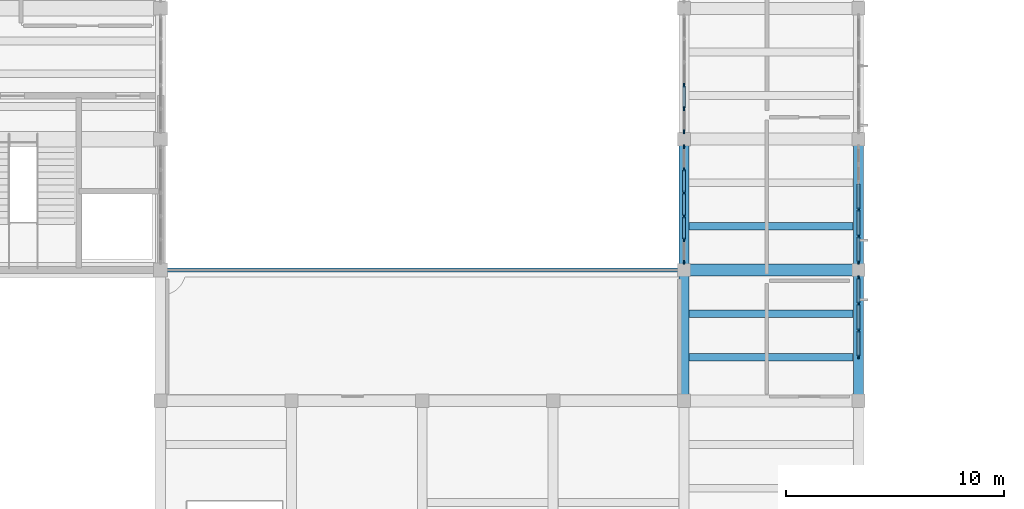
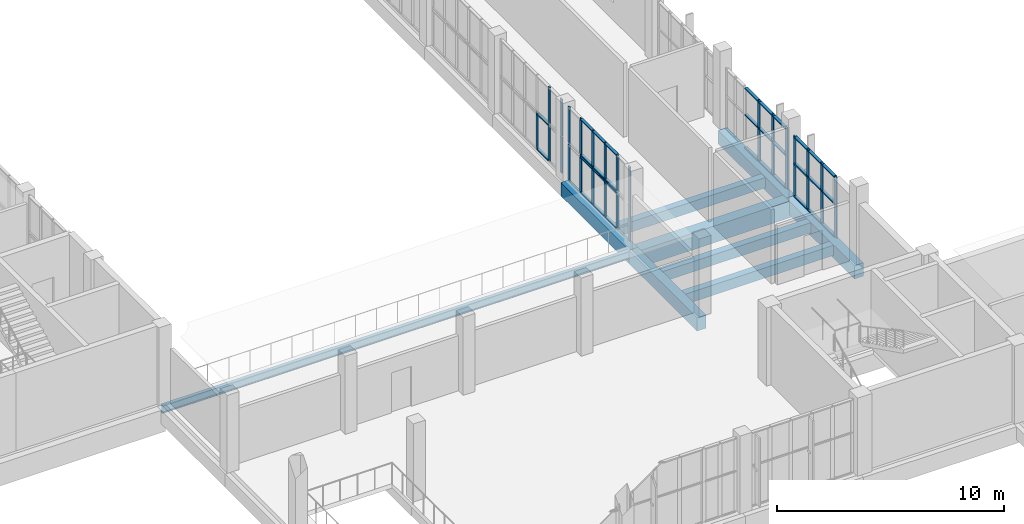
# One storey, part 8 of 85: 56 members, 9 beams, 6 elements without a shape of their own.
"""IFC4 building model written with IfcOpenShell, lengths in metres."""

from ifc_helpers import new_model, si_unit, direction, frame, origin, origin_2d, place, context, subcontext, project, spatial, rectangle, i_section, extrude, material, layer, layer_set, material_profile, profile_set, type_object, element, aggregate, save


model = new_model("IFC4")

# Units and contexts
model_context = context("Model", 3, precision=1e-05, world=origin(), true_north=direction((0.0, 1.0)))
body_context = subcontext(model_context, "Body", "Model", "MODEL_VIEW")
ifc_project = project(units=[si_unit("LENGTHUNIT", "METRE"), si_unit("AREAUNIT", "SQUARE_METRE"), si_unit("VOLUMEUNIT", "CUBIC_METRE"), si_unit("PLANEANGLEUNIT", "RADIAN"), si_unit("MASSUNIT", "GRAM", prefix="KILO")], contexts=[model_context])

# Site, building, storey
site_placement = place(None, origin())
site = spatial("IfcSite", under=ifc_project, at=site_placement, CompositionType="ELEMENT")
building_placement = place(site_placement, origin())
building = spatial("IfcBuilding", under=site, at=building_placement, Name="Solvane Community Centre", CompositionType="ELEMENT")
storey_placement = place(building_placement, frame((0.0, 0.0, 5.39990234375)))
storey = spatial("IfcBuildingStorey", under=building, at=storey_placement, Name="L01", CompositionType="ELEMENT", Elevation=5.39990234375)

# Curtain wall, members
ifc_material_1 = material(Name="Anodised bronze aluminium AW-6063 T6", Category="aluminium")
ifc_layer_1 = layer(ifc_material_1, 0.18994140625)
ifc_layer_set_1 = layer_set([ifc_layer_1], Name="Anodised bronze aluminium AW-6063 T6")
curtain_wall_type_1 = type_object("IfcCurtainWallType", Name="Boulevard Bronze Vision Curtain Wall [37x32dm]", PredefinedType="NOTDEFINED", material=ifc_layer_set_1)
curtain_wall_1_placement = place(storey_placement, origin())
curtain_wall_1 = element("IfcCurtainWall", 1, at=curtain_wall_1_placement, inside=storey, type_object=curtain_wall_type_1, Name="Curtain Wall CW-L01-680_460-109", PredefinedType="NOTDEFINED")
ifc_material_profile_1 = material_profile(ifc_material_1, rectangle(XDim=0.06005859375, YDim=0.18994140625, at=origin_2d()), Name="CW-M 60x190")
ifc_profile_set_1 = profile_set([ifc_material_profile_1], Name="Anodised bronze aluminium AW-6063 T6")
member_type_1 = type_object("IfcMemberType", Name="Boulevard Mullion 60x190", PredefinedType="MULLION", material=ifc_profile_set_1)
member_1_placement = place(storey_placement, frame((68.0, 44.7734375, 0.0), z_axis=(0.0, 0.0, 1.0), x_axis=(1.0, 0.0, 0.0)))
member_1 = element("IfcMember", 2, at=member_1_placement, type_object=member_type_1, Name="CW02-37x32 mullion 2", PredefinedType="MULLION", context=body_context, shape_type="SweptSolid", body=[
    extrude(rectangle(XDim=0.06005859375, YDim=0.18994140625, at=origin_2d()), origin(), (0.0, 0.0, 1.0), 3.2451171875),
])
member_2_placement = place(storey_placement, frame((68.0, 43.546630859375, 0.0), z_axis=(0.0, 0.0, 1.0), x_axis=(1.0, 0.0, 0.0)))
member_2 = element("IfcMember", 3, at=member_2_placement, type_object=member_type_1, Name="CW02-37x32 mullion 3", PredefinedType="MULLION", context=body_context, shape_type="SweptSolid", body=[
    extrude(rectangle(XDim=0.06005859375, YDim=0.18994140625, at=origin_2d()), origin(), (0.0, 0.0, 1.0), 3.2451171875),
])
member_3_placement = place(storey_placement, frame((68.0, 42.35009765625, 0.0), z_axis=(0.0, 0.0, 1.0), x_axis=(1.0, 0.0, 0.0)))
member_3 = element("IfcMember", 4, at=member_3_placement, type_object=member_type_1, Name="CW02-37x32 mullion 4", PredefinedType="MULLION", context=body_context, shape_type="SweptSolid", body=[
    extrude(rectangle(XDim=0.06005859375, YDim=0.18994140625, at=origin_2d()), origin(), (0.0, 0.0, 1.0), 3.2451171875),
])

curtain_wall_2_placement = place(storey_placement, origin())
curtain_wall_2 = element("IfcCurtainWall", 5, at=curtain_wall_2_placement, inside=storey, type_object=curtain_wall_type_1, Name="Curtain Wall CW-L01-680_417-110", PredefinedType="NOTDEFINED")
member_4_placement = place(storey_placement, frame((68.0, 41.64990234375, 0.0), z_axis=(0.0, 0.0, 1.0), x_axis=(1.0, 0.0, 0.0)))
member_4 = element("IfcMember", 6, at=member_4_placement, type_object=member_type_1, Name="CW02-37x32 mullion 1", PredefinedType="MULLION", context=body_context, shape_type="SweptSolid", body=[
    extrude(rectangle(XDim=0.06005859375, YDim=0.18994140625, at=origin_2d()), origin(), (0.0, 0.0, 1.0), 3.2451171875),
])
member_5_placement = place(storey_placement, frame((68.0, 40.453369140625, 0.0), z_axis=(0.0, 0.0, 1.0), x_axis=(1.0, 0.0, 0.0)))
member_5 = element("IfcMember", 7, at=member_5_placement, type_object=member_type_1, Name="CW02-37x32 mullion 2", PredefinedType="MULLION", context=body_context, shape_type="SweptSolid", body=[
    extrude(rectangle(XDim=0.06005859375, YDim=0.18994140625, at=origin_2d()), origin(), (0.0, 0.0, 1.0), 3.2451171875),
])
member_6_placement = place(storey_placement, frame((68.0, 39.2265625, 0.0), z_axis=(0.0, 0.0, 1.0), x_axis=(1.0, 0.0, 0.0)))
member_6 = element("IfcMember", 8, at=member_6_placement, type_object=member_type_1, Name="CW02-37x32 mullion 3", PredefinedType="MULLION", context=body_context, shape_type="SweptSolid", body=[
    extrude(rectangle(XDim=0.06005859375, YDim=0.18994140625, at=origin_2d()), origin(), (0.0, 0.0, 1.0), 3.2451171875),
])
member_7_placement = place(storey_placement, frame((68.0, 38.030029296875, 0.0), z_axis=(0.0, 0.0, 1.0), x_axis=(1.0, 0.0, 0.0)))
member_7 = element("IfcMember", 9, at=member_7_placement, type_object=member_type_1, Name="CW02-37x32 mullion 4", PredefinedType="MULLION", context=body_context, shape_type="SweptSolid", body=[
    extrude(rectangle(XDim=0.06005859375, YDim=0.18994140625, at=origin_2d()), origin(), (0.0, 0.0, 1.0), 3.2451171875),
])

# Member
ifc_material_profile_2 = material_profile(ifc_material_1, rectangle(XDim=0.14990234375, YDim=0.06005859375, at=origin_2d()), Name="CW-T 60x150")
ifc_profile_set_2 = profile_set([ifc_material_profile_2], Name="Anodised bronze aluminium AW-6063 T6")
member_type_2 = type_object("IfcMemberType", Name="Boulevard Transom 60x150", PredefinedType="USERDEFINED", material=ifc_profile_set_2)
member_8_placement = place(storey_placement, frame((68.0, 45.93994140625, 0.030029296875), z_axis=(0.0, -1.0, 0.0), x_axis=(1.0, 0.0, 0.0)))
member_8 = element("IfcMember", 10, at=member_8_placement, type_object=member_type_2, Name="CW02-37x32 transom 1.1", ObjectType="TRANSOM", PredefinedType="USERDEFINED", context=body_context, shape_type="SweptSolid", body=[
    extrude(rectangle(XDim=0.14990234375, YDim=0.06005859375, at=origin_2d()), origin(), (0.0, 0.0, 1.0), 1.13671875),
])

member_9_placement = place(storey_placement, frame((68.0, 45.93994140625, 1.78515625), z_axis=(0.0, -1.0, 0.0), x_axis=(1.0, 0.0, 0.0)))
member_9 = element("IfcMember", 11, at=member_9_placement, type_object=member_type_2, Name="CW02-37x32 transom 1.2", ObjectType="TRANSOM", PredefinedType="USERDEFINED", context=body_context, shape_type="SweptSolid", body=[
    extrude(rectangle(XDim=0.14990234375, YDim=0.06005859375, at=origin_2d()), origin(), (0.0, 0.0, 1.0), 1.13671875),
])

member_10_placement = place(storey_placement, frame((68.0, 45.93994140625, 3.215087890625), z_axis=(0.0, -1.0, 0.0), x_axis=(1.0, 0.0, 0.0)))
member_10 = element("IfcMember", 12, at=member_10_placement, type_object=member_type_2, Name="CW02-37x32 transom 1.3", ObjectType="TRANSOM", PredefinedType="USERDEFINED", context=body_context, shape_type="SweptSolid", body=[
    extrude(rectangle(XDim=0.14990234375, YDim=0.06005859375, at=origin_2d()), origin(), (0.0, 0.0, 1.0), 1.13671875),
])

member_11_placement = place(storey_placement, frame((68.0, 44.743408203125, 0.030029296875), z_axis=(0.0, -1.0, 0.0), x_axis=(1.0, 0.0, 0.0)))
member_11 = element("IfcMember", 13, at=member_11_placement, type_object=member_type_2, Name="CW02-37x32 transom 2.1", ObjectType="TRANSOM", PredefinedType="USERDEFINED", context=body_context, shape_type="SweptSolid", body=[
    extrude(rectangle(XDim=0.14990234375, YDim=0.06005859375, at=origin_2d()), origin(), (0.0, 0.0, 1.0), 1.166748046875),
])

member_12_placement = place(storey_placement, frame((68.0, 44.743408203125, 1.78515625), z_axis=(0.0, -1.0, 0.0), x_axis=(1.0, 0.0, 0.0)))
member_12 = element("IfcMember", 14, at=member_12_placement, type_object=member_type_2, Name="CW02-37x32 transom 2.2", ObjectType="TRANSOM", PredefinedType="USERDEFINED", context=body_context, shape_type="SweptSolid", body=[
    extrude(rectangle(XDim=0.14990234375, YDim=0.06005859375, at=origin_2d()), origin(), (0.0, 0.0, 1.0), 1.166748046875),
])

member_13_placement = place(storey_placement, frame((68.0, 44.743408203125, 3.215087890625), z_axis=(0.0, -1.0, 0.0), x_axis=(1.0, 0.0, 0.0)))
member_13 = element("IfcMember", 15, at=member_13_placement, type_object=member_type_2, Name="CW02-37x32 transom 2.3", ObjectType="TRANSOM", PredefinedType="USERDEFINED", context=body_context, shape_type="SweptSolid", body=[
    extrude(rectangle(XDim=0.14990234375, YDim=0.06005859375, at=origin_2d()), origin(), (0.0, 0.0, 1.0), 1.166748046875),
])

member_14_placement = place(storey_placement, frame((68.0, 43.5166015625, 0.030029296875), z_axis=(0.0, -1.0, 0.0), x_axis=(1.0, 0.0, 0.0)))
member_14 = element("IfcMember", 16, at=member_14_placement, type_object=member_type_2, Name="CW02-37x32 transom 3.1", ObjectType="TRANSOM", PredefinedType="USERDEFINED", context=body_context, shape_type="SweptSolid", body=[
    extrude(rectangle(XDim=0.14990234375, YDim=0.06005859375, at=origin_2d()), origin(), (0.0, 0.0, 1.0), 1.13671875),
])

member_15_placement = place(storey_placement, frame((68.0, 43.5166015625, 1.78515625), z_axis=(0.0, -1.0, 0.0), x_axis=(1.0, 0.0, 0.0)))
member_15 = element("IfcMember", 17, at=member_15_placement, type_object=member_type_2, Name="CW02-37x32 transom 3.2", ObjectType="TRANSOM", PredefinedType="USERDEFINED", context=body_context, shape_type="SweptSolid", body=[
    extrude(rectangle(XDim=0.14990234375, YDim=0.06005859375, at=origin_2d()), origin(), (0.0, 0.0, 1.0), 1.13671875),
])

member_16_placement = place(storey_placement, frame((68.0, 43.5166015625, 3.215087890625), z_axis=(0.0, -1.0, 0.0), x_axis=(1.0, 0.0, 0.0)))
member_16 = element("IfcMember", 18, at=member_16_placement, type_object=member_type_2, Name="CW02-37x32 transom 3.3", ObjectType="TRANSOM", PredefinedType="USERDEFINED", context=body_context, shape_type="SweptSolid", body=[
    extrude(rectangle(XDim=0.14990234375, YDim=0.06005859375, at=origin_2d()), origin(), (0.0, 0.0, 1.0), 1.13671875),
])

aggregate(curtain_wall_1, [member_1, member_2, member_3, member_8, member_9, member_10, member_11, member_12, member_13, member_14, member_15, member_16])

member_17_placement = place(storey_placement, frame((68.0, 41.6201171875, 0.030029296875), z_axis=(0.0, -1.0, 0.0), x_axis=(1.0, 0.0, 0.0)))
member_17 = element("IfcMember", 19, at=member_17_placement, type_object=member_type_2, Name="CW02-37x32 transom 1.1", ObjectType="TRANSOM", PredefinedType="USERDEFINED", context=body_context, shape_type="SweptSolid", body=[
    extrude(rectangle(XDim=0.14990234375, YDim=0.06005859375, at=origin_2d()), origin(), (0.0, 0.0, 1.0), 1.13671875),
])

member_18_placement = place(storey_placement, frame((68.0, 41.6201171875, 1.78515625), z_axis=(0.0, -1.0, 0.0), x_axis=(1.0, 0.0, 0.0)))
member_18 = element("IfcMember", 20, at=member_18_placement, type_object=member_type_2, Name="CW02-37x32 transom 1.2", ObjectType="TRANSOM", PredefinedType="USERDEFINED", context=body_context, shape_type="SweptSolid", body=[
    extrude(rectangle(XDim=0.14990234375, YDim=0.06005859375, at=origin_2d()), origin(), (0.0, 0.0, 1.0), 1.13671875),
])

member_19_placement = place(storey_placement, frame((68.0, 41.6201171875, 3.215087890625), z_axis=(0.0, -1.0, 0.0), x_axis=(1.0, 0.0, 0.0)))
member_19 = element("IfcMember", 21, at=member_19_placement, type_object=member_type_2, Name="CW02-37x32 transom 1.3", ObjectType="TRANSOM", PredefinedType="USERDEFINED", context=body_context, shape_type="SweptSolid", body=[
    extrude(rectangle(XDim=0.14990234375, YDim=0.06005859375, at=origin_2d()), origin(), (0.0, 0.0, 1.0), 1.13671875),
])

member_20_placement = place(storey_placement, frame((68.0, 40.42333984375, 0.030029296875), z_axis=(0.0, -1.0, 0.0), x_axis=(1.0, 0.0, 0.0)))
member_20 = element("IfcMember", 22, at=member_20_placement, type_object=member_type_2, Name="CW02-37x32 transom 2.1", ObjectType="TRANSOM", PredefinedType="USERDEFINED", context=body_context, shape_type="SweptSolid", body=[
    extrude(rectangle(XDim=0.14990234375, YDim=0.06005859375, at=origin_2d()), origin(), (0.0, 0.0, 1.0), 1.166748046875),
])

member_21_placement = place(storey_placement, frame((68.0, 40.42333984375, 1.78515625), z_axis=(0.0, -1.0, 0.0), x_axis=(1.0, 0.0, 0.0)))
member_21 = element("IfcMember", 23, at=member_21_placement, type_object=member_type_2, Name="CW02-37x32 transom 2.2", ObjectType="TRANSOM", PredefinedType="USERDEFINED", context=body_context, shape_type="SweptSolid", body=[
    extrude(rectangle(XDim=0.14990234375, YDim=0.06005859375, at=origin_2d()), origin(), (0.0, 0.0, 1.0), 1.166748046875),
])

member_22_placement = place(storey_placement, frame((68.0, 40.42333984375, 3.215087890625), z_axis=(0.0, -1.0, 0.0), x_axis=(1.0, 0.0, 0.0)))
member_22 = element("IfcMember", 24, at=member_22_placement, type_object=member_type_2, Name="CW02-37x32 transom 2.3", ObjectType="TRANSOM", PredefinedType="USERDEFINED", context=body_context, shape_type="SweptSolid", body=[
    extrude(rectangle(XDim=0.14990234375, YDim=0.06005859375, at=origin_2d()), origin(), (0.0, 0.0, 1.0), 1.166748046875),
])

member_23_placement = place(storey_placement, frame((68.0, 39.19677734375, 0.030029296875), z_axis=(0.0, -1.0, 0.0), x_axis=(1.0, 0.0, 0.0)))
member_23 = element("IfcMember", 25, at=member_23_placement, type_object=member_type_2, Name="CW02-37x32 transom 3.1", ObjectType="TRANSOM", PredefinedType="USERDEFINED", context=body_context, shape_type="SweptSolid", body=[
    extrude(rectangle(XDim=0.14990234375, YDim=0.06005859375, at=origin_2d()), origin(), (0.0, 0.0, 1.0), 1.13671875),
])

member_24_placement = place(storey_placement, frame((68.0, 39.19677734375, 1.78515625), z_axis=(0.0, -1.0, 0.0), x_axis=(1.0, 0.0, 0.0)))
member_24 = element("IfcMember", 26, at=member_24_placement, type_object=member_type_2, Name="CW02-37x32 transom 3.2", ObjectType="TRANSOM", PredefinedType="USERDEFINED", context=body_context, shape_type="SweptSolid", body=[
    extrude(rectangle(XDim=0.14990234375, YDim=0.06005859375, at=origin_2d()), origin(), (0.0, 0.0, 1.0), 1.13671875),
])

member_25_placement = place(storey_placement, frame((68.0, 39.19677734375, 3.215087890625), z_axis=(0.0, -1.0, 0.0), x_axis=(1.0, 0.0, 0.0)))
member_25 = element("IfcMember", 27, at=member_25_placement, type_object=member_type_2, Name="CW02-37x32 transom 3.3", ObjectType="TRANSOM", PredefinedType="USERDEFINED", context=body_context, shape_type="SweptSolid", body=[
    extrude(rectangle(XDim=0.14990234375, YDim=0.06005859375, at=origin_2d()), origin(), (0.0, 0.0, 1.0), 1.13671875),
])

aggregate(curtain_wall_2, [member_4, member_5, member_6, member_7, member_17, member_18, member_19, member_20, member_21, member_22, member_23, member_24, member_25])

# Curtain wall, members
ifc_layer_2 = layer(ifc_material_1, 0.179931640625)
ifc_layer_set_2 = layer_set([ifc_layer_2], Name="Anodised bronze aluminium AW-6063 T6")
curtain_wall_type_2 = type_object("IfcCurtainWallType", Name="Hall Translucent Upper Curtain Wall [54x19dm]", PredefinedType="NOTDEFINED", material=ifc_layer_set_2)
curtain_wall_3_placement = place(storey_placement, origin())
curtain_wall_3 = element("IfcCurtainWall", 28, at=curtain_wall_3_placement, inside=storey, type_object=curtain_wall_type_2, Name="Curtain Wall CW-L01-600_477-033", PredefinedType="NOTDEFINED")
ifc_material_profile_3 = material_profile(ifc_material_1, rectangle(XDim=0.06005859375, YDim=0.179931640625, at=origin_2d()), Name="CW-M 60x180")
ifc_profile_set_3 = profile_set([ifc_material_profile_3], Name="Anodised bronze aluminium AW-6063 T6")
member_type_3 = type_object("IfcMemberType", Name="Hall Mullion 60x180", PredefinedType="MULLION", material=ifc_profile_set_3)
member_26_placement = place(storey_placement, frame((60.0, 47.64990234375, 0.0), z_axis=(0.0, 0.0, 1.0), x_axis=(1.0, 0.0, 0.0)))
member_26 = element("IfcMember", 29, at=member_26_placement, type_object=member_type_3, Name="CW01-54x19 mullion 1", PredefinedType="MULLION", context=body_context, shape_type="SweptSolid", body=[
    extrude(rectangle(XDim=0.06005859375, YDim=0.179931640625, at=origin_2d()), origin(), (0.0, 0.0, 1.0), 1.9501953125),
])
member_27_placement = place(storey_placement, frame((60.0, 46.60791015625, 0.0), z_axis=(0.0, 0.0, 1.0), x_axis=(1.0, 0.0, 0.0)))
member_27 = element("IfcMember", 30, at=member_27_placement, type_object=member_type_3, Name="CW01-54x19 mullion 2", PredefinedType="MULLION", context=body_context, shape_type="SweptSolid", body=[
    extrude(rectangle(XDim=0.06005859375, YDim=0.179931640625, at=origin_2d()), origin(), (0.0, 0.0, 1.0), 1.9501953125),
])
member_28_placement = place(storey_placement, frame((60.0, 45.535888671875, 0.0), z_axis=(0.0, 0.0, 1.0), x_axis=(1.0, 0.0, 0.0)))
member_28 = element("IfcMember", 31, at=member_28_placement, type_object=member_type_3, Name="CW01-54x19 mullion 3", PredefinedType="MULLION", context=body_context, shape_type="SweptSolid", body=[
    extrude(rectangle(XDim=0.06005859375, YDim=0.179931640625, at=origin_2d()), origin(), (0.0, 0.0, 1.0), 1.9501953125),
])
member_29_placement = place(storey_placement, frame((60.0, 44.464111328125, 0.0), z_axis=(0.0, 0.0, 1.0), x_axis=(1.0, 0.0, 0.0)))
member_29 = element("IfcMember", 32, at=member_29_placement, type_object=member_type_3, Name="CW01-54x19 mullion 4", PredefinedType="MULLION", context=body_context, shape_type="SweptSolid", body=[
    extrude(rectangle(XDim=0.06005859375, YDim=0.179931640625, at=origin_2d()), origin(), (0.0, 0.0, 1.0), 1.9501953125),
])
member_30_placement = place(storey_placement, frame((60.0, 43.39208984375, 0.0), z_axis=(0.0, 0.0, 1.0), x_axis=(1.0, 0.0, 0.0)))
member_30 = element("IfcMember", 33, at=member_30_placement, type_object=member_type_3, Name="CW01-54x19 mullion 5", PredefinedType="MULLION", context=body_context, shape_type="SweptSolid", body=[
    extrude(rectangle(XDim=0.06005859375, YDim=0.179931640625, at=origin_2d()), origin(), (0.0, 0.0, 1.0), 1.9501953125),
])
member_31_placement = place(storey_placement, frame((60.0, 42.35009765625, 0.0), z_axis=(0.0, 0.0, 1.0), x_axis=(1.0, 0.0, 0.0)))
member_31 = element("IfcMember", 34, at=member_31_placement, type_object=member_type_3, Name="CW01-54x19 mullion 6", PredefinedType="MULLION", context=body_context, shape_type="SweptSolid", body=[
    extrude(rectangle(XDim=0.06005859375, YDim=0.179931640625, at=origin_2d()), origin(), (0.0, 0.0, 1.0), 1.9501953125),
])

ifc_layer_3 = layer(ifc_material_1, 0.179931640625)
ifc_layer_set_3 = layer_set([ifc_layer_3], Name="Anodised bronze aluminium AW-6063 T6")
curtain_wall_type_3 = type_object("IfcCurtainWallType", Name="Hall Translucent Upper Curtain Wall [54x20dm]", PredefinedType="NOTDEFINED", material=ifc_layer_set_3)
curtain_wall_4_placement = place(storey_placement, origin())
curtain_wall_4 = element("IfcCurtainWall", 35, at=curtain_wall_4_placement, inside=storey, type_object=curtain_wall_type_3, Name="Curtain Wall CW-L01-600_477-034", PredefinedType="NOTDEFINED")
member_32_placement = place(storey_placement, frame((60.0, 47.64990234375, 2.02001953125), z_axis=(0.0, 0.0, 1.0), x_axis=(1.0, 0.0, 0.0)))
member_32 = element("IfcMember", 36, at=member_32_placement, type_object=member_type_3, Name="CW01-54x20 mullion 1", PredefinedType="MULLION", context=body_context, shape_type="SweptSolid", body=[
    extrude(rectangle(XDim=0.06005859375, YDim=0.179931640625, at=origin_2d()), origin(), (0.0, 0.0, 1.0), 1.9599609375),
])
member_33_placement = place(storey_placement, frame((60.0, 46.60791015625, 2.02001953125), z_axis=(0.0, 0.0, 1.0), x_axis=(1.0, 0.0, 0.0)))
member_33 = element("IfcMember", 37, at=member_33_placement, type_object=member_type_3, Name="CW01-54x20 mullion 2", PredefinedType="MULLION", context=body_context, shape_type="SweptSolid", body=[
    extrude(rectangle(XDim=0.06005859375, YDim=0.179931640625, at=origin_2d()), origin(), (0.0, 0.0, 1.0), 1.9599609375),
])
member_34_placement = place(storey_placement, frame((60.0, 45.535888671875, 2.02001953125), z_axis=(0.0, 0.0, 1.0), x_axis=(1.0, 0.0, 0.0)))
member_34 = element("IfcMember", 38, at=member_34_placement, type_object=member_type_3, Name="CW01-54x20 mullion 3", PredefinedType="MULLION", context=body_context, shape_type="SweptSolid", body=[
    extrude(rectangle(XDim=0.06005859375, YDim=0.179931640625, at=origin_2d()), origin(), (0.0, 0.0, 1.0), 1.9599609375),
])
member_35_placement = place(storey_placement, frame((60.0, 44.464111328125, 2.02001953125), z_axis=(0.0, 0.0, 1.0), x_axis=(1.0, 0.0, 0.0)))
member_35 = element("IfcMember", 39, at=member_35_placement, type_object=member_type_3, Name="CW01-54x20 mullion 4", PredefinedType="MULLION", context=body_context, shape_type="SweptSolid", body=[
    extrude(rectangle(XDim=0.06005859375, YDim=0.179931640625, at=origin_2d()), origin(), (0.0, 0.0, 1.0), 1.9599609375),
])
member_36_placement = place(storey_placement, frame((60.0, 43.39208984375, 2.02001953125), z_axis=(0.0, 0.0, 1.0), x_axis=(1.0, 0.0, 0.0)))
member_36 = element("IfcMember", 40, at=member_36_placement, type_object=member_type_3, Name="CW01-54x20 mullion 5", PredefinedType="MULLION", context=body_context, shape_type="SweptSolid", body=[
    extrude(rectangle(XDim=0.06005859375, YDim=0.179931640625, at=origin_2d()), origin(), (0.0, 0.0, 1.0), 1.9599609375),
])
member_37_placement = place(storey_placement, frame((60.0, 42.35009765625, 2.02001953125), z_axis=(0.0, 0.0, 1.0), x_axis=(1.0, 0.0, 0.0)))
member_37 = element("IfcMember", 41, at=member_37_placement, type_object=member_type_3, Name="CW01-54x20 mullion 6", PredefinedType="MULLION", context=body_context, shape_type="SweptSolid", body=[
    extrude(rectangle(XDim=0.06005859375, YDim=0.179931640625, at=origin_2d()), origin(), (0.0, 0.0, 1.0), 1.9599609375),
])

curtain_wall_5_placement = place(storey_placement, origin())
curtain_wall_5 = element("IfcCurtainWall", 42, at=curtain_wall_5_placement, inside=storey, type_object=curtain_wall_type_2, Name="Curtain Wall CW-L01-600_537-037", PredefinedType="NOTDEFINED")
member_38_placement = place(storey_placement, frame((60.0, 50.464111328125, 0.0), z_axis=(0.0, 0.0, 1.0), x_axis=(1.0, 0.0, 0.0)))
member_38 = element("IfcMember", 43, at=member_38_placement, type_object=member_type_3, Name="CW01-54x19 mullion 4", PredefinedType="MULLION", context=body_context, shape_type="SweptSolid", body=[
    extrude(rectangle(XDim=0.06005859375, YDim=0.179931640625, at=origin_2d()), origin(), (0.0, 0.0, 1.0), 1.9501953125),
])
member_39_placement = place(storey_placement, frame((60.0, 49.39208984375, 0.0), z_axis=(0.0, 0.0, 1.0), x_axis=(1.0, 0.0, 0.0)))
member_39 = element("IfcMember", 44, at=member_39_placement, type_object=member_type_3, Name="CW01-54x19 mullion 5", PredefinedType="MULLION", context=body_context, shape_type="SweptSolid", body=[
    extrude(rectangle(XDim=0.06005859375, YDim=0.179931640625, at=origin_2d()), origin(), (0.0, 0.0, 1.0), 1.9501953125),
])
member_40_placement = place(storey_placement, frame((60.0, 48.35009765625, 0.0), z_axis=(0.0, 0.0, 1.0), x_axis=(1.0, 0.0, 0.0)))
member_40 = element("IfcMember", 45, at=member_40_placement, type_object=member_type_3, Name="CW01-54x19 mullion 6", PredefinedType="MULLION", context=body_context, shape_type="SweptSolid", body=[
    extrude(rectangle(XDim=0.06005859375, YDim=0.179931640625, at=origin_2d()), origin(), (0.0, 0.0, 1.0), 1.9501953125),
])

curtain_wall_6_placement = place(storey_placement, origin())
curtain_wall_6 = element("IfcCurtainWall", 46, at=curtain_wall_6_placement, inside=storey, type_object=curtain_wall_type_3, Name="Curtain Wall CW-L01-600_537-038", PredefinedType="NOTDEFINED")
member_41_placement = place(storey_placement, frame((60.0, 49.39208984375, 2.02001953125), z_axis=(0.0, 0.0, 1.0), x_axis=(1.0, 0.0, 0.0)))
member_41 = element("IfcMember", 47, at=member_41_placement, type_object=member_type_3, Name="CW01-54x20 mullion 5", PredefinedType="MULLION", context=body_context, shape_type="SweptSolid", body=[
    extrude(rectangle(XDim=0.06005859375, YDim=0.179931640625, at=origin_2d()), origin(), (0.0, 0.0, 1.0), 1.9599609375),
])
member_42_placement = place(storey_placement, frame((60.0, 48.35009765625, 2.02001953125), z_axis=(0.0, 0.0, 1.0), x_axis=(1.0, 0.0, 0.0)))
member_42 = element("IfcMember", 48, at=member_42_placement, type_object=member_type_3, Name="CW01-54x20 mullion 6", PredefinedType="MULLION", context=body_context, shape_type="SweptSolid", body=[
    extrude(rectangle(XDim=0.06005859375, YDim=0.179931640625, at=origin_2d()), origin(), (0.0, 0.0, 1.0), 1.9599609375),
])
aggregate(curtain_wall_6, [member_41, member_42])

# Member
ifc_material_profile_4 = material_profile(ifc_material_1, rectangle(XDim=0.139892578125, YDim=0.06005859375, at=origin_2d()), Name="CW-T 60x140")
ifc_profile_set_4 = profile_set([ifc_material_profile_4], Name="Anodised bronze aluminium AW-6063 T6")
member_type_4 = type_object("IfcMemberType", Name="Hall Transom 60x140", PredefinedType="USERDEFINED", material=ifc_profile_set_4)
member_43_placement = place(storey_placement, frame((60.0, 46.577880859375, 0.030029296875), z_axis=(0.0, -1.0, 0.0), x_axis=(1.0, 0.0, 0.0)))
member_43 = element("IfcMember", 49, at=member_43_placement, type_object=member_type_4, Name="CW01-54x19 transom 2.1", ObjectType="TRANSOM", PredefinedType="USERDEFINED", context=body_context, shape_type="SweptSolid", body=[
    extrude(rectangle(XDim=0.139892578125, YDim=0.06005859375, at=origin_2d()), origin(), (0.0, 0.0, 1.0), 1.011962890625),
])

member_44_placement = place(storey_placement, frame((60.0, 46.577880859375, 1.920166015625), z_axis=(0.0, -1.0, 0.0), x_axis=(1.0, 0.0, 0.0)))
member_44 = element("IfcMember", 50, at=member_44_placement, type_object=member_type_4, Name="CW01-54x19 transom 2.2", ObjectType="TRANSOM", PredefinedType="USERDEFINED", context=body_context, shape_type="SweptSolid", body=[
    extrude(rectangle(XDim=0.139892578125, YDim=0.06005859375, at=origin_2d()), origin(), (0.0, 0.0, 1.0), 1.011962890625),
])

member_45_placement = place(storey_placement, frame((60.0, 45.506103515625, 0.030029296875), z_axis=(0.0, -1.0, 0.0), x_axis=(1.0, 0.0, 0.0)))
member_45 = element("IfcMember", 51, at=member_45_placement, type_object=member_type_4, Name="CW01-54x19 transom 3.1", ObjectType="TRANSOM", PredefinedType="USERDEFINED", context=body_context, shape_type="SweptSolid", body=[
    extrude(rectangle(XDim=0.139892578125, YDim=0.06005859375, at=origin_2d()), origin(), (0.0, 0.0, 1.0), 1.01220703125),
])

member_46_placement = place(storey_placement, frame((60.0, 45.506103515625, 1.920166015625), z_axis=(0.0, -1.0, 0.0), x_axis=(1.0, 0.0, 0.0)))
member_46 = element("IfcMember", 52, at=member_46_placement, type_object=member_type_4, Name="CW01-54x19 transom 3.2", ObjectType="TRANSOM", PredefinedType="USERDEFINED", context=body_context, shape_type="SweptSolid", body=[
    extrude(rectangle(XDim=0.139892578125, YDim=0.06005859375, at=origin_2d()), origin(), (0.0, 0.0, 1.0), 1.01220703125),
])

member_47_placement = place(storey_placement, frame((60.0, 44.43408203125, 0.030029296875), z_axis=(0.0, -1.0, 0.0), x_axis=(1.0, 0.0, 0.0)))
member_47 = element("IfcMember", 53, at=member_47_placement, type_object=member_type_4, Name="CW01-54x19 transom 4.1", ObjectType="TRANSOM", PredefinedType="USERDEFINED", context=body_context, shape_type="SweptSolid", body=[
    extrude(rectangle(XDim=0.139892578125, YDim=0.06005859375, at=origin_2d()), origin(), (0.0, 0.0, 1.0), 1.011962890625),
])

member_48_placement = place(storey_placement, frame((60.0, 44.43408203125, 1.920166015625), z_axis=(0.0, -1.0, 0.0), x_axis=(1.0, 0.0, 0.0)))
member_48 = element("IfcMember", 54, at=member_48_placement, type_object=member_type_4, Name="CW01-54x19 transom 4.2", ObjectType="TRANSOM", PredefinedType="USERDEFINED", context=body_context, shape_type="SweptSolid", body=[
    extrude(rectangle(XDim=0.139892578125, YDim=0.06005859375, at=origin_2d()), origin(), (0.0, 0.0, 1.0), 1.011962890625),
])

aggregate(curtain_wall_3, [member_26, member_27, member_28, member_29, member_30, member_31, member_43, member_44, member_45, member_46, member_47, member_48])

member_49_placement = place(storey_placement, frame((60.0, 46.577880859375, 2.050048828125), z_axis=(0.0, -1.0, 0.0), x_axis=(1.0, 0.0, 0.0)))
member_49 = element("IfcMember", 55, at=member_49_placement, type_object=member_type_4, Name="CW01-54x20 transom 2.1", ObjectType="TRANSOM", PredefinedType="USERDEFINED", context=body_context, shape_type="SweptSolid", body=[
    extrude(rectangle(XDim=0.139892578125, YDim=0.06005859375, at=origin_2d()), origin(), (0.0, 0.0, 1.0), 1.011962890625),
])

member_50_placement = place(storey_placement, frame((60.0, 46.577880859375, 3.9501953125), z_axis=(0.0, -1.0, 0.0), x_axis=(1.0, 0.0, 0.0)))
member_50 = element("IfcMember", 56, at=member_50_placement, type_object=member_type_4, Name="CW01-54x20 transom 2.2", ObjectType="TRANSOM", PredefinedType="USERDEFINED", context=body_context, shape_type="SweptSolid", body=[
    extrude(rectangle(XDim=0.139892578125, YDim=0.06005859375, at=origin_2d()), origin(), (0.0, 0.0, 1.0), 1.011962890625),
])

member_51_placement = place(storey_placement, frame((60.0, 45.506103515625, 2.050048828125), z_axis=(0.0, -1.0, 0.0), x_axis=(1.0, 0.0, 0.0)))
member_51 = element("IfcMember", 57, at=member_51_placement, type_object=member_type_4, Name="CW01-54x20 transom 3.1", ObjectType="TRANSOM", PredefinedType="USERDEFINED", context=body_context, shape_type="SweptSolid", body=[
    extrude(rectangle(XDim=0.139892578125, YDim=0.06005859375, at=origin_2d()), origin(), (0.0, 0.0, 1.0), 1.01220703125),
])

member_52_placement = place(storey_placement, frame((60.0, 45.506103515625, 3.9501953125), z_axis=(0.0, -1.0, 0.0), x_axis=(1.0, 0.0, 0.0)))
member_52 = element("IfcMember", 58, at=member_52_placement, type_object=member_type_4, Name="CW01-54x20 transom 3.2", ObjectType="TRANSOM", PredefinedType="USERDEFINED", context=body_context, shape_type="SweptSolid", body=[
    extrude(rectangle(XDim=0.139892578125, YDim=0.06005859375, at=origin_2d()), origin(), (0.0, 0.0, 1.0), 1.01220703125),
])

member_53_placement = place(storey_placement, frame((60.0, 44.43408203125, 2.050048828125), z_axis=(0.0, -1.0, 0.0), x_axis=(1.0, 0.0, 0.0)))
member_53 = element("IfcMember", 59, at=member_53_placement, type_object=member_type_4, Name="CW01-54x20 transom 4.1", ObjectType="TRANSOM", PredefinedType="USERDEFINED", context=body_context, shape_type="SweptSolid", body=[
    extrude(rectangle(XDim=0.139892578125, YDim=0.06005859375, at=origin_2d()), origin(), (0.0, 0.0, 1.0), 1.011962890625),
])

member_54_placement = place(storey_placement, frame((60.0, 44.43408203125, 3.9501953125), z_axis=(0.0, -1.0, 0.0), x_axis=(1.0, 0.0, 0.0)))
member_54 = element("IfcMember", 60, at=member_54_placement, type_object=member_type_4, Name="CW01-54x20 transom 4.2", ObjectType="TRANSOM", PredefinedType="USERDEFINED", context=body_context, shape_type="SweptSolid", body=[
    extrude(rectangle(XDim=0.139892578125, YDim=0.06005859375, at=origin_2d()), origin(), (0.0, 0.0, 1.0), 1.011962890625),
])

aggregate(curtain_wall_4, [member_32, member_33, member_34, member_35, member_36, member_37, member_49, member_50, member_51, member_52, member_53, member_54])

member_55_placement = place(storey_placement, frame((60.0, 50.43408203125, 0.030029296875), z_axis=(0.0, -1.0, 0.0), x_axis=(1.0, 0.0, 0.0)))
member_55 = element("IfcMember", 61, at=member_55_placement, type_object=member_type_4, Name="CW01-54x19 transom 4.1", ObjectType="TRANSOM", PredefinedType="USERDEFINED", context=body_context, shape_type="SweptSolid", body=[
    extrude(rectangle(XDim=0.139892578125, YDim=0.06005859375, at=origin_2d()), origin(), (0.0, 0.0, 1.0), 1.011962890625),
])

member_56_placement = place(storey_placement, frame((60.0, 50.43408203125, 1.920166015625), z_axis=(0.0, -1.0, 0.0), x_axis=(1.0, 0.0, 0.0)))
member_56 = element("IfcMember", 62, at=member_56_placement, type_object=member_type_4, Name="CW01-54x19 transom 4.2", ObjectType="TRANSOM", PredefinedType="USERDEFINED", context=body_context, shape_type="SweptSolid", body=[
    extrude(rectangle(XDim=0.139892578125, YDim=0.06005859375, at=origin_2d()), origin(), (0.0, 0.0, 1.0), 1.011962890625),
])

aggregate(curtain_wall_5, [member_38, member_39, member_40, member_55, member_56])

# Beams
ifc_material_2 = material(Name="Concrete C35/45", Category="concrete")
ifc_material_profile_5 = material_profile(ifc_material_2, rectangle(XDim=0.4599609375, YDim=0.719970703125, at=origin_2d()), Name="RC 460x720")
ifc_profile_set_5 = profile_set([ifc_material_profile_5], Name="Concrete C35/45")
beam_type_1 = type_object("IfcBeamType", Name="RC Cloister Beam 460x720", PredefinedType="BEAM", material=ifc_profile_set_5)
for number, where, z_axis, x_axis, name in (
    (63, (60.0, 36.0, -0.599853515625), (0.0, 1.0, 0.0), (-1.0, 0.0, 0.0), "Beam BM-L01-600_360-600_420"),
    (64, (60.0, 42.0, -0.599853515625), (0.0, 1.0, 0.0), (-1.0, 0.0, 0.0), "Beam BM-L01-600_420-600_480"),
    (65, (68.0, 36.0, -0.599853515625), (0.0, 1.0, 0.0), (-1.0, 0.0, 0.0), "Beam BM-L01-680_360-680_420"),
    (66, (68.0, 42.0, -0.599853515625), (0.0, 1.0, 0.0), (-1.0, 0.0, 0.0), "Beam BM-L01-680_420-680_480"),
):
    element("IfcBeam", number, at=place(storey_placement, frame(where, z_axis=z_axis, x_axis=x_axis)), inside=storey, type_object=beam_type_1, Name=name, PredefinedType="BEAM", context=body_context, shape_type="SweptSolid", body=[
        extrude(rectangle(XDim=0.4599609375, YDim=0.719970703125, at=origin_2d()), origin(), (0.0, 0.0, 1.0), 6.0),
    ])
ifc_material_profile_6 = material_profile(ifc_material_2, rectangle(XDim=0.550048828125, YDim=0.89990234375, at=origin_2d()), Name="RC 550x900")
ifc_profile_set_6 = profile_set([ifc_material_profile_6], Name="Concrete C35/45")
beam_type_2 = type_object("IfcBeamType", Name="RC Heavy Girder 550x900", PredefinedType="USERDEFINED", material=ifc_profile_set_6)
beam_1_placement = place(storey_placement, frame((60.0, 42.0, -0.68994140625), z_axis=(1.0, 0.0, 0.0), x_axis=(0.0, 1.0, 0.0)))
element("IfcBeam", 67, at=beam_1_placement, inside=storey, type_object=beam_type_2, Name="Beam BM-L01-600_420-680_420", ObjectType="GIRDER", PredefinedType="USERDEFINED", context=body_context, shape_type="SweptSolid", body=[
    extrude(rectangle(XDim=0.550048828125, YDim=0.89990234375, at=origin_2d()), origin(), (0.0, 0.0, 1.0), 8.0),
])
ifc_material_profile_7 = material_profile(ifc_material_2, rectangle(XDim=0.35009765625, YDim=0.550048828125, at=origin_2d()), Name="RC 350x550")
ifc_profile_set_7 = profile_set([ifc_material_profile_7], Name="Concrete C35/45")
beam_type_3 = type_object("IfcBeamType", Name="RC Secondary Joist 350x550", PredefinedType="JOIST", material=ifc_profile_set_7)
for number, where, z_axis, x_axis, name in (
    (68, (60.239990234375, 38.0, -0.514892578125), (1.0, 0.0, 0.0), (0.0, 1.0, 0.0), "Beam BM-L01-602_380-678_380"),
    (69, (60.239990234375, 40.0, -0.514892578125), (1.0, 0.0, 0.0), (0.0, 1.0, 0.0), "Beam BM-L01-602_400-678_400"),
    (70, (60.239990234375, 44.0, -0.514892578125), (1.0, 0.0, 0.0), (0.0, 1.0, 0.0), "Beam BM-L01-602_440-678_440"),
):
    element("IfcBeam", number, at=place(storey_placement, frame(where, z_axis=z_axis, x_axis=x_axis)), inside=storey, type_object=beam_type_3, Name=name, PredefinedType="JOIST", context=body_context, shape_type="SweptSolid", body=[
        extrude(rectangle(XDim=0.35009765625, YDim=0.550048828125, at=origin_2d()), origin(), (0.0, 0.0, 1.0), 7.52001953125),
    ])
ifc_material_3 = material(Name="Steel ASTM A572 Grade 50", Category="steel")
ifc_material_profile_8 = material_profile(ifc_material_3, i_section(OverallWidth=0.180908203125, OverallDepth=0.4169921875, WebThickness=0.010986328125, FlangeThickness=0.018310546875, FilletRadius=0.012939453125, at=origin_2d()), Name="W410x85")
ifc_profile_set_8 = profile_set([ifc_material_profile_8], Name="Steel ASTM A572 Grade 50")
beam_type_4 = type_object("IfcBeamType", Name="Steel Gallery Girder W410x85", PredefinedType="USERDEFINED", material=ifc_profile_set_8)
beam_2_placement = place(storey_placement, frame((36.0, 42.0, -0.448486328125), z_axis=(1.0, 0.0, 0.0), x_axis=(0.0, 1.0, 0.0)))
element("IfcBeam", 71, at=beam_2_placement, inside=storey, type_object=beam_type_4, Name="Beam BM-L01-360_420-600_420", ObjectType="GIRDER", PredefinedType="USERDEFINED", context=body_context, shape_type="SweptSolid", body=[
    extrude(i_section(OverallWidth=0.180908203125, OverallDepth=0.4169921875, WebThickness=0.010986328125, FlangeThickness=0.018310546875, FilletRadius=0.012939453125, at=origin_2d()), origin(), (0.0, 0.0, 1.0), 24.0),
])

save(model, "model.ifc")
